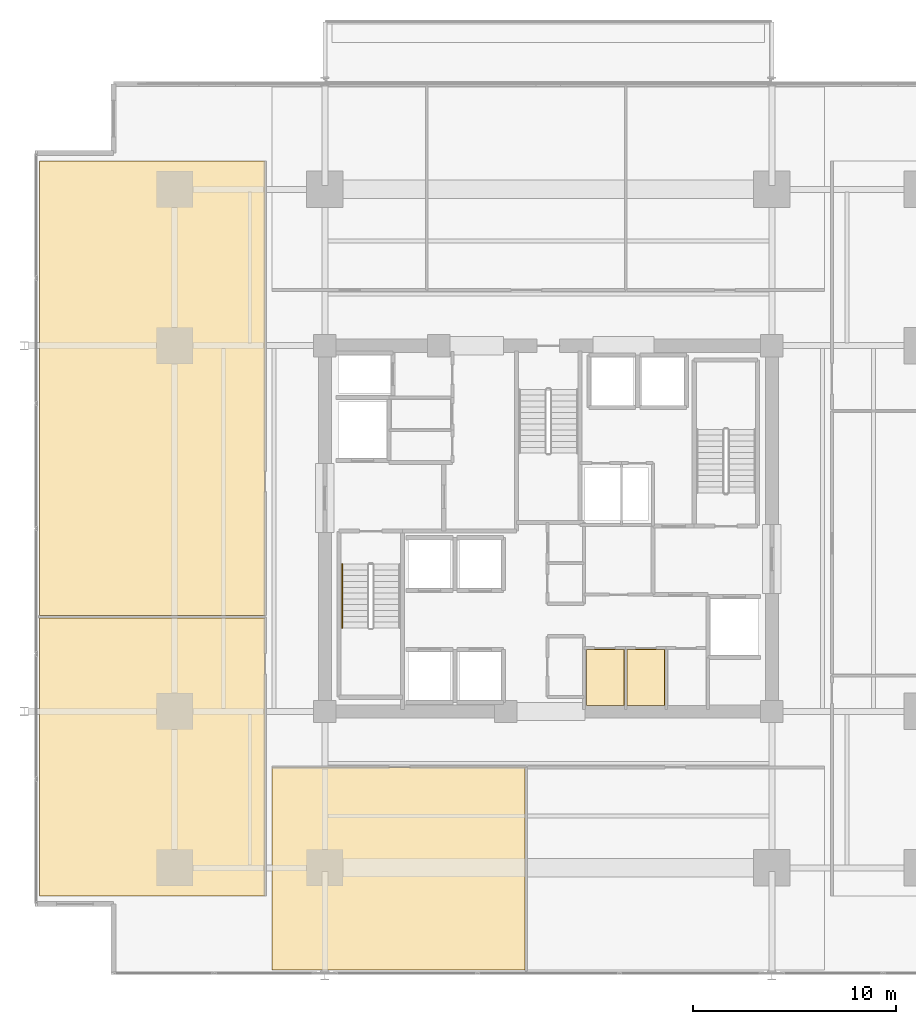
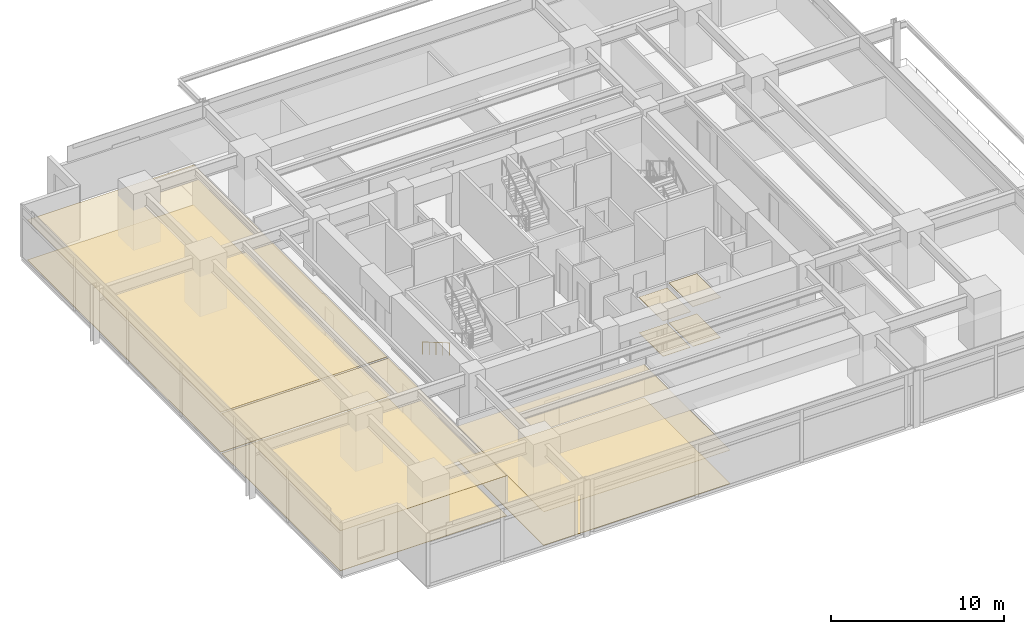
# One storey, part 17 of 20: 10 coverings, 1 railing.
"""IFC4 building model written with IfcOpenShell, lengths in metres."""

from ifc_helpers import new_model, si_unit, direction, frame, origin, origin_2d, place, context, subcontext, project, spatial, polyline, circle, outline, extrude, material, layer, layer_set, type_object, element, save


model = new_model("IFC4")

# Units and contexts
model_context = context("Model", 3, precision=1e-05, world=origin(), true_north=direction((0.0, 1.0)))
body_context = subcontext(model_context, "Body", "Model", "MODEL_VIEW")
ifc_project = project(units=[si_unit("LENGTHUNIT", "METRE"), si_unit("AREAUNIT", "SQUARE_METRE"), si_unit("VOLUMEUNIT", "CUBIC_METRE"), si_unit("PLANEANGLEUNIT", "RADIAN"), si_unit("MASSUNIT", "GRAM", prefix="KILO")], contexts=[model_context])

# Site, building, storey
site_placement = place(None, origin())
site = spatial("IfcSite", under=ifc_project, at=site_placement, CompositionType="ELEMENT")
building_placement = place(site_placement, origin())
building = spatial("IfcBuilding", under=site, at=building_placement, Name="Kovane Verandah Tower", CompositionType="ELEMENT")
storey_placement = place(building_placement, frame((0.0, 0.0, 39.60009765625)))
storey = spatial("IfcBuildingStorey", under=building, at=storey_placement, Name="L08", CompositionType="ELEMENT", Elevation=39.60009765625)

# Coverings
ifc_material_1 = material(Name="Perforated Acoustic Mineral-Fibre Ceiling Tile", Category="gypsum")
ifc_layer_1 = layer(ifc_material_1, 0.02490234375)
ifc_layer_set_1 = layer_set([ifc_layer_1], Name="Perforated Acoustic Mineral-Fibre Ceiling Tile")
covering_type_1 = type_object("IfcCoveringType", Name="CV-CEIL-25", PredefinedType="CEILING", material=ifc_layer_set_1)
covering_1_placement = place(storey_placement, frame((0.0, 0.0, 2.514892578125)))
element("IfcCovering", 1, at=covering_1_placement, inside=storey, type_object=covering_type_1, Name="L08 Mail and Copy Room Acoustic Ceiling", PredefinedType="CEILING", context=body_context, shape_type="SweptSolid", body=[
    extrude(outline(polyline([(41.864990234375, 18.784912109375), (43.735107421875, 18.784912109375), (43.735107421875, 21.56494140625), (41.864990234375, 21.56494140625), (41.864990234375, 18.784912109375)])), origin(), (0.0, 0.0, 1.0), 0.02490234375),
])
covering_2_placement = place(storey_placement, frame((0.0, 0.0, 2.824951171875)))
element("IfcCovering", 2, at=covering_2_placement, inside=storey, type_object=covering_type_1, Name="L08 First Aid Room Acoustic Ceiling", PredefinedType="CEILING", context=body_context, shape_type="SweptSolid", body=[
    extrude(outline(polyline([(43.864990234375, 18.784912109375), (45.735107421875, 18.784912109375), (45.735107421875, 21.56494140625), (43.864990234375, 21.56494140625), (43.864990234375, 18.784912109375)])), origin(), (0.0, 0.0, 1.0), 0.02490234375),
])
covering_3_placement = place(storey_placement, frame((0.0, 0.0, 2.364990234375)))
element("IfcCovering", 3, at=covering_3_placement, inside=storey, type_object=covering_type_1, Name="L08 Focus Studio S1 Acoustic Ceiling", PredefinedType="CEILING", context=body_context, shape_type="SweptSolid", body=[
    extrude(outline(polyline([(26.39990234375, 5.767822265625), (38.842041015625, 5.767822265625), (38.842041015625, 15.75), (26.39990234375, 15.75), (26.39990234375, 5.767822265625)])), origin(), (0.0, 0.0, 1.0), 0.02490234375),
])
covering_4_placement = place(storey_placement, frame((0.0, 0.0, 2.824951171875)))
element("IfcCovering", 4, at=covering_4_placement, inside=storey, type_object=covering_type_1, Name="L08 Collaboration Hub W1 Acoustic Ceiling", PredefinedType="CEILING", context=body_context, shape_type="SweptSolid", body=[
    extrude(outline(polyline([(14.94677734375, 9.417724609375), (26.050048828125, 9.417724609375), (26.050048828125, 23.09033203125), (14.94677734375, 23.09033203125), (14.94677734375, 9.417724609375)])), origin(), (0.0, 0.0, 1.0), 0.02490234375),
])
covering_5_placement = place(storey_placement, frame((0.0, 0.0, 2.824951171875)))
element("IfcCovering", 5, at=covering_5_placement, inside=storey, type_object=covering_type_1, Name="L08 Document and Print Room W2 Acoustic Ceiling", PredefinedType="CEILING", context=body_context, shape_type="SweptSolid", body=[
    extrude(outline(polyline([(14.94677734375, 23.230224609375), (26.050048828125, 23.230224609375), (26.050048828125, 45.582275390625), (14.94677734375, 45.582275390625), (14.94677734375, 23.230224609375)])), origin(), (0.0, 0.0, 1.0), 0.02490234375),
])
ifc_material_2 = material(Name="Polished Terrazzo and Raised-Access Carpet Tile Finish", Category="concrete")
ifc_layer_2 = layer(ifc_material_2, 0.030029296875)
ifc_layer_set_2 = layer_set([ifc_layer_2], Name="Polished Terrazzo and Raised-Access Carpet Tile Finish")
covering_type_2 = type_object("IfcCoveringType", Name="CV-FLOR-30", PredefinedType="FLOORING", material=ifc_layer_set_2)
covering_6_placement = place(storey_placement, origin())
element("IfcCovering", 6, at=covering_6_placement, inside=storey, type_object=covering_type_2, Name="L08 Mail and Copy Room Floor Finish", PredefinedType="FLOORING", context=body_context, shape_type="SweptSolid", body=[
    extrude(outline(polyline([(41.8798828125, 18.800048828125), (43.719970703125, 18.800048828125), (43.719970703125, 21.550048828125), (41.8798828125, 21.550048828125), (41.8798828125, 18.800048828125)])), origin(), (0.0, 0.0, 1.0), 0.02978515625),
])
covering_7_placement = place(storey_placement, origin())
element("IfcCovering", 7, at=covering_7_placement, inside=storey, type_object=covering_type_2, Name="L08 First Aid Room Floor Finish", PredefinedType="FLOORING", context=body_context, shape_type="SweptSolid", body=[
    extrude(outline(polyline([(43.8798828125, 18.800048828125), (45.719970703125, 18.800048828125), (45.719970703125, 21.550048828125), (43.8798828125, 21.550048828125), (43.8798828125, 18.800048828125)])), origin(), (0.0, 0.0, 1.0), 0.02978515625),
])
covering_8_placement = place(storey_placement, origin())
element("IfcCovering", 8, at=covering_8_placement, inside=storey, type_object=covering_type_2, Name="L08 Focus Studio S1 Floor Finish", PredefinedType="FLOORING", context=body_context, shape_type="SweptSolid", body=[
    extrude(outline(polyline([(26.39990234375, 5.767822265625), (38.842041015625, 5.767822265625), (38.842041015625, 15.75), (26.39990234375, 15.75), (26.39990234375, 5.767822265625)])), origin(), (0.0, 0.0, 1.0), 0.02978515625),
])
covering_9_placement = place(storey_placement, origin())
element("IfcCovering", 9, at=covering_9_placement, inside=storey, type_object=covering_type_2, Name="L08 Collaboration Hub W1 Floor Finish", PredefinedType="FLOORING", context=body_context, shape_type="SweptSolid", body=[
    extrude(outline(polyline([(14.94677734375, 9.417724609375), (26.050048828125, 9.417724609375), (26.050048828125, 23.09033203125), (14.94677734375, 23.09033203125), (14.94677734375, 9.417724609375)])), origin(), (0.0, 0.0, 1.0), 0.02978515625),
])
covering_10_placement = place(storey_placement, origin())
element("IfcCovering", 10, at=covering_10_placement, inside=storey, type_object=covering_type_2, Name="L08 Document and Print Room W2 Floor Finish", PredefinedType="FLOORING", context=body_context, shape_type="SweptSolid", body=[
    extrude(outline(polyline([(14.94677734375, 23.230224609375), (26.050048828125, 23.230224609375), (26.050048828125, 45.582275390625), (14.94677734375, 45.582275390625), (14.94677734375, 23.230224609375)])), origin(), (0.0, 0.0, 1.0), 0.02978515625),
])

# Railing
ifc_material_3 = material(Name="Brushed Stainless Steel Handrail", Category="steel")
railing_type = type_object("IfcRailingType", Name="RL-HAND-920", PredefinedType="HANDRAIL", material=ifc_material_3)
railing_placement = place(storey_placement, frame((29.85009765625, 25.75, 0.16650390625)))
element("IfcRailing", 11, at=railing_placement, inside=storey, type_object=railing_type, Name="L08 ST-01 stair handrail 1", PredefinedType="HANDRAIL", context=body_context, shape_type="SweptSolid", body=[
    extrude(circle(Radius=0.02392578125, at=origin_2d()), frame((0.0, 0.0, 0.8759765625), z_axis=(0.0, -0.863210265497, 0.504844567704), x_axis=(1.0, 0.0, 0.0)), (0.0, 0.0, 1.0), 3.6318359375),
    extrude(circle(Radius=0.02099609375, at=origin_2d()), origin(), (0.0, 0.0, 1.0), 0.851806640625),
    extrude(circle(Radius=0.02099609375, at=origin_2d()), frame((0.0, -0.78369140625, 0.45849609375)), (0.0, 0.0, 1.0), 0.851806640625),
    extrude(circle(Radius=0.02099609375, at=origin_2d()), frame((0.0, -1.5673828125, 0.916748046875)), (0.0, 0.0, 1.0), 0.851806640625),
    extrude(circle(Radius=0.02099609375, at=origin_2d()), frame((0.0, -2.351318359375, 1.375)), (0.0, 0.0, 1.0), 0.851806640625),
    extrude(circle(Radius=0.02099609375, at=origin_2d()), frame((0.0, -3.135009765625, 1.83349609375)), (0.0, 0.0, 1.0), 0.851806640625),
])

save(model, "model.ifc")
